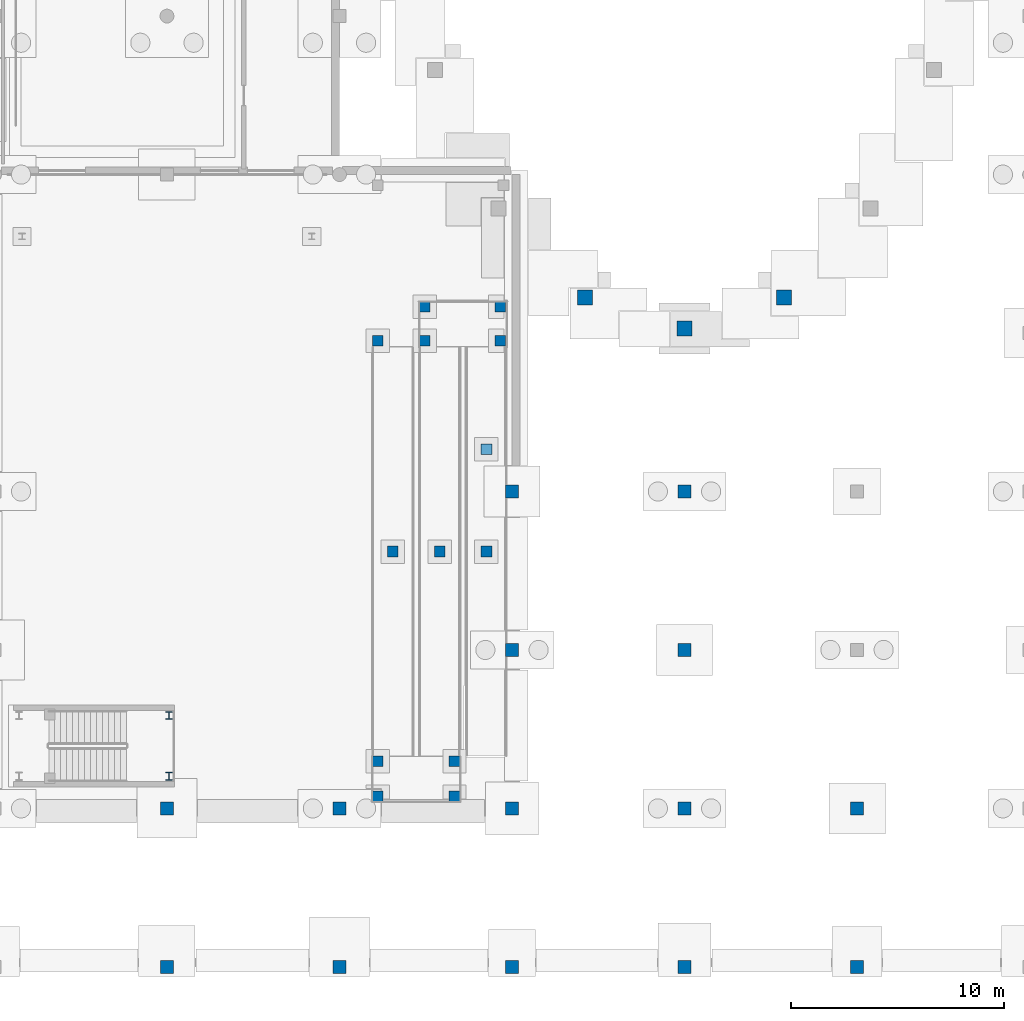
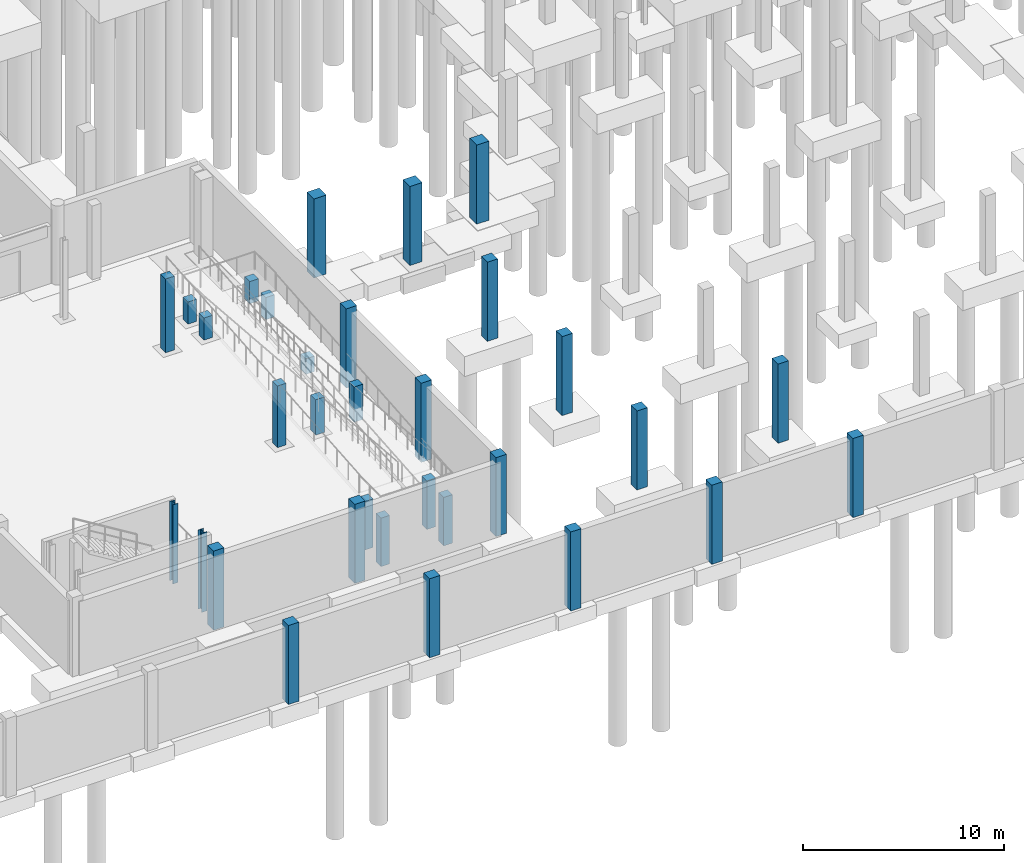
# One storey, part 14 of 37: 32 columns.
"""IFC4 building model written with IfcOpenShell, lengths in metres."""

import ifcopenshell
import ifcopenshell.guid

model = None  # the IFC model being written
_history = None  # IfcOwnerHistory: only IFC2X3 demands one
_inside = {}  # id of a spatial element -> (the spatial element, [elements in it])
_under = {}  # id of a project, library or spatial element -> (it, [spatial elements below it])
_declared = {}  # id of a project -> (the project, [libraries it declares])
_typed = {}  # id of a type object -> (the type object, [elements of that type])
_made_of = {}  # id of a material, layer set ... -> (it, [elements and type objects made of it])


def new_model(schema):
    """Start an empty IFC model of exactly this schema.

    Asked for "IFC4X3", IfcOpenShell would pick the latest addendum, in which some entities
    have other attributes; the version numbers below select the first issue.
    IFC2X3 requires an IfcOwnerHistory on every rooted entity: one is made here for all.
    """
    global model, _history
    if schema == "IFC4X3":
        model = ifcopenshell.file(schema_version=(4, 3, 0, 0))
    else:
        model = ifcopenshell.file(schema=schema)
    _inside.clear()
    _under.clear()
    _declared.clear()
    _typed.clear()
    _made_of.clear()
    _history = None
    if model.schema == "IFC2X3":
        org = make("IfcOrganization", Name="unknown")
        user = make(
            "IfcPersonAndOrganization",
            ThePerson=make("IfcPerson", FamilyName="unknown"),
            TheOrganization=org,
        )
        app = make(
            "IfcApplication",
            ApplicationDeveloper=org,
            Version="unknown",
            ApplicationFullName="unknown",
            ApplicationIdentifier="unknown",
        )
        _history = make(
            "IfcOwnerHistory",
            OwningUser=user,
            OwningApplication=app,
            ChangeAction="ADDED",
            CreationDate=0,
        )
    return model


def make(cls, **values):
    """One entity of the class cls with the attributes given. An attribute that is None is left unset."""
    return model.create_entity(
        cls, **{name: value for name, value in values.items() if value is not None}
    )


def rooted(cls, **values):
    """An entity with a GlobalId (a new one), such as an element, a storey or a relation."""
    return make(cls, GlobalId=ifcopenshell.guid.new(), OwnerHistory=_history, **values)


def si_unit(unit_type, name, prefix=None):
    """IfcSIUnit, for example si_unit("LENGTHUNIT", "METRE", prefix="MILLI")."""
    return make("IfcSIUnit", UnitType=unit_type, Prefix=prefix, Name=name)


def assignment(units):
    """IfcUnitAssignment: the units of a project."""
    return None if units is None else make("IfcUnitAssignment", Units=units)


def point(xyz):
    """IfcCartesianPoint."""
    return None if xyz is None else make("IfcCartesianPoint", Coordinates=xyz)


def direction(xyz):
    """IfcDirection."""
    return None if xyz is None else make("IfcDirection", DirectionRatios=xyz)


def frame(location, z_axis=None, x_axis=None):
    """IfcAxis2Placement3D, a coordinate frame: its origin and axes. An axis left out is left unset."""
    return make(
        "IfcAxis2Placement3D",
        Location=point(location),
        Axis=direction(z_axis),
        RefDirection=direction(x_axis),
    )


def frame_2d(location, x_axis=None):
    """IfcAxis2Placement2D, a coordinate frame in the plane: its origin and x axis."""
    return make(
        "IfcAxis2Placement2D", Location=point(location), RefDirection=direction(x_axis)
    )


def origin():
    """The frame at (0, 0, 0) with its axes left unset."""
    return frame((0.0, 0.0, 0.0))


def origin_2d():
    """The frame at (0, 0) in the plane with its x axis left unset."""
    return frame_2d((0.0, 0.0))


def place(relative_to, where):
    """IfcLocalPlacement: puts the frame where relative to a parent placement (None: the world)."""
    return make(
        "IfcLocalPlacement", PlacementRelTo=relative_to, RelativePlacement=where
    )


def context(
    kind, dimensions, precision=None, world=None, true_north=None, identifier=None
):
    """IfcGeometricRepresentationContext, for example the 3D "Model" context."""
    return make(
        "IfcGeometricRepresentationContext",
        ContextIdentifier=identifier,
        ContextType=kind,
        CoordinateSpaceDimension=dimensions,
        Precision=precision,
        WorldCoordinateSystem=world,
        TrueNorth=true_north,
    )


def subcontext(parent, identifier, kind, view, scale=None):
    """IfcGeometricRepresentationSubContext, for example "Body" below "Model"."""
    return make(
        "IfcGeometricRepresentationSubContext",
        ContextIdentifier=identifier,
        ContextType=kind,
        ParentContext=parent,
        TargetScale=scale,
        TargetView=view,
    )


def project(units=None, contexts=None):
    """IfcProject with its units and contexts."""
    return rooted(
        "IfcProject",
        Name="project",
        RepresentationContexts=contexts,
        UnitsInContext=assignment(units),
    )


def spatial(cls, under=None, at=None, **own):
    """A site, building, storey or space (cls), placed at a placement, below another one or the project."""
    s = rooted(cls, ObjectPlacement=at, **own)
    if under is not None:
        _under.setdefault(under.id(), (under, []))[1].append(s)
    return s


def profile(cls, at=None, kind="AREA", **sizes):
    """A parametric profile (cls). Its sizes go by their IFC names, for example OverallWidth=200.0."""
    return make(cls, ProfileType=kind, Position=at, **sizes)


def rectangle(**sizes):
    """IfcRectangleProfileDef."""
    return profile("IfcRectangleProfileDef", **sizes)


def i_section(**sizes):
    """IfcIShapeProfileDef."""
    return profile("IfcIShapeProfileDef", **sizes)


def extrude(swept, where, along, depth):
    """IfcExtrudedAreaSolid: the profile swept, set in the frame where, extruded along a direction by depth."""
    return make(
        "IfcExtrudedAreaSolid",
        SweptArea=swept,
        Position=where,
        ExtrudedDirection=direction(along),
        Depth=depth,
    )


def shape(context_of_items, identifier, shape_type, items):
    """IfcShapeRepresentation: the items that make up one representation, for example the "Body"."""
    return make(
        "IfcShapeRepresentation",
        ContextOfItems=context_of_items,
        RepresentationIdentifier=identifier,
        RepresentationType=shape_type,
        Items=items,
    )


def material(Name=None, Category=None):
    """IfcMaterial."""
    return make("IfcMaterial", Name=Name, Category=Category)


def material_profile(
    of_material, cross_section, Name=None, Category=None, Priority=None
):
    """IfcMaterialProfile: a cross section and its material."""
    return make(
        "IfcMaterialProfile",
        Name=Name,
        Material=of_material,
        Profile=cross_section,
        Priority=Priority,
        Category=Category,
    )


def profile_set(profiles, Name=None, composite=None):
    """IfcMaterialProfileSet."""
    return make(
        "IfcMaterialProfileSet",
        Name=Name,
        MaterialProfiles=profiles,
        CompositeProfile=composite,
    )


def made_of(thing, what):
    """Note that an element or type object is made of a material, layer set ...; save() writes the relation."""
    if what is not None:
        _made_of.setdefault(what.id(), (what, []))[1].append(thing)
    return thing


def type_object(cls, material=None, **own):
    """A type object (cls), such as IfcWallType, which elements share."""
    return made_of(rooted(cls, **own), material)


def element(
    cls,
    number,
    at=None,
    inside=None,
    cuts=None,
    type_object=None,
    material=None,
    context=None,
    identifier="Body",
    shape_type=None,
    held_by="IfcProductDefinitionShape",
    body=None,
    shapes=None,
    **own,
):
    """One element of the class cls, such as IfcWall. Its Tag is "e" and its number.

    at: its placement. inside: the storey or other place that contains it. cuts: it is an
    opening in that element (IfcRelVoidsElement). A single representation is given by context,
    identifier, shape_type and body (its items); several are given by shapes. held_by: the class
    of the entity that holds the representations. save() writes the other relations.
    """
    e = rooted(cls, Tag="e%d" % number, ObjectPlacement=at, **own)
    if body is not None:
        shapes = [shape(context, identifier, shape_type, body)]
    if shapes is not None:
        e.Representation = make(held_by, Representations=shapes)
    if inside is not None:
        _inside.setdefault(inside.id(), (inside, []))[1].append(e)
    if cuts is not None:
        rooted(
            "IfcRelVoidsElement", RelatingBuildingElement=cuts, RelatedOpeningElement=e
        )
    if type_object is not None:
        _typed.setdefault(type_object.id(), (type_object, []))[1].append(e)
    return made_of(e, material)


def aggregate(whole, parts):
    """IfcRelAggregates: a whole, such as a stair, and the parts it consists of."""
    return rooted("IfcRelAggregates", RelatingObject=whole, RelatedObjects=parts)


def save(model, path):
    """Write the relations noted so far, then the file.

    IfcRelAggregates (storeys below a building ...), IfcRelContainedInSpatialStructure (elements
    in a storey), IfcRelDefinesByType, IfcRelAssociatesMaterial and IfcRelDeclares: one each for
    every whole, place, type object, material and project.
    """
    for whole, parts in _under.values():
        aggregate(whole, parts)
    for where, things in _inside.values():
        rooted(
            "IfcRelContainedInSpatialStructure",
            RelatedElements=things,
            RelatingStructure=where,
        )
    for kind, things in _typed.values():
        rooted("IfcRelDefinesByType", RelatedObjects=things, RelatingType=kind)
    for what, things in _made_of.values():
        rooted("IfcRelAssociatesMaterial", RelatedObjects=things, RelatingMaterial=what)
    for by, libraries in _declared.values():
        rooted("IfcRelDeclares", RelatingContext=by, RelatedDefinitions=libraries)
    model.write(path)


model = new_model("IFC4")

# Units and contexts
model_context = context("Model", 3, precision=1e-05, world=origin(), true_north=direction((0.0, 1.0)))
body_context = subcontext(model_context, "Body", "Model", "MODEL_VIEW")
ifc_project = project(units=[si_unit("LENGTHUNIT", "METRE"), si_unit("AREAUNIT", "SQUARE_METRE"), si_unit("VOLUMEUNIT", "CUBIC_METRE"), si_unit("PLANEANGLEUNIT", "RADIAN"), si_unit("MASSUNIT", "GRAM", prefix="KILO")], contexts=[model_context])

# Site, building, storey
site_placement = place(None, origin())
site = spatial("IfcSite", under=ifc_project, at=site_placement, CompositionType="ELEMENT")
building_placement = place(site_placement, origin())
building = spatial("IfcBuilding", under=site, at=building_placement, Name="Kaelora Sail Theatre", CompositionType="ELEMENT")
storey_placement = place(building_placement, frame((0.0, 0.0, -4.800048828125)))
storey = spatial("IfcBuildingStorey", under=building, at=storey_placement, Name="B1", CompositionType="ELEMENT", Elevation=-4.800048828125)

# Columns
ifc_material_1 = material(Name="Steel S355", Category="steel")
ifc_material_profile_1 = material_profile(ifc_material_1, i_section(OverallWidth=0.300048828125, OverallDepth=0.360107421875, WebThickness=0.012451171875, FlangeThickness=0.0224609375, FilletRadius=0.027099609375, at=origin_2d()), Name="HEB 360")
ifc_profile_set_1 = profile_set([ifc_material_profile_1], Name="Steel S355")
column_type_1 = type_object("IfcColumnType", Name="STR-COL-C-HEB360", PredefinedType="COLUMN", material=ifc_profile_set_1)
for number, where, z_axis, x_axis, name in (
    (1, (66.39990234375, 10.449951171875, 0.0), (0.0, 0.0, 1.0), (1.0, 0.0, 0.0), "Feature stair ST-PLZ support column SE (B1)"),
    (2, (66.39990234375, 13.300048828125, 0.0), (0.0, 0.0, 1.0), (1.0, 0.0, 0.0), "Feature stair ST-PLZ support column NE (B1)"),
):
    element("IfcColumn", number, at=place(storey_placement, frame(where, z_axis=z_axis, x_axis=x_axis)), inside=storey, type_object=column_type_1, Name=name, PredefinedType="COLUMN", context=body_context, shape_type="SweptSolid", body=[
        extrude(i_section(OverallWidth=0.300048828125, OverallDepth=0.360107421875, WebThickness=0.012451171875, FlangeThickness=0.0224609375, FilletRadius=0.027099609375, at=origin_2d()), origin(), (0.0, 0.0, 1.0), 4.800048828125),
    ])
ifc_material_2 = material(Name="Concrete C40/50", Category="concrete")
ifc_material_profile_2 = material_profile(ifc_material_2, rectangle(XDim=0.5, YDim=0.5, at=origin_2d()), Name="RC-COL 500x500")
ifc_profile_set_2 = profile_set([ifc_material_profile_2], Name="Concrete C40/50")
column_type_2 = type_object("IfcColumnType", Name="STR-COL-C-RC500", PredefinedType="COLUMN", material=ifc_profile_set_2)
for number, where, z_axis, x_axis, name in (
    (3, (78.39990234375, 30.89990234375, 0.0), (0.0, 0.0, 1.0), (1.0, 0.0, 0.0), "Accessible plaza ramp pier RL1-SW"),
    (4, (81.949951171875, 30.89990234375, 0.0), (0.0, 0.0, 1.0), (1.0, 0.0, 0.0), "Accessible plaza ramp pier RL1-SE"),
    (5, (78.39990234375, 32.5, 0.0), (0.0, 0.0, 1.0), (1.0, 0.0, 0.0), "Accessible plaza ramp pier RL1-NW"),
    (6, (81.949951171875, 32.5, 0.0), (0.0, 0.0, 1.0), (1.0, 0.0, 0.0), "Accessible plaza ramp pier RL1-NE"),
):
    element("IfcColumn", number, at=place(storey_placement, frame(where, z_axis=z_axis, x_axis=x_axis)), inside=storey, type_object=column_type_2, Name=name, PredefinedType="COLUMN", context=body_context, shape_type="SweptSolid", body=[
        extrude(rectangle(XDim=0.5, YDim=0.5, at=origin_2d()), origin(), (0.0, 0.0, 1.0), 1.344970703125),
    ])
column_1_placement = place(storey_placement, frame((81.300048828125, 25.800048828125, 0.0), z_axis=(0.0, 0.0, 1.0), x_axis=(1.0, 0.0, 0.0)))
element("IfcColumn", 7, at=column_1_placement, inside=storey, type_object=column_type_2, Name="Accessible plaza ramp pier RF1-Q3", PredefinedType="COLUMN", context=body_context, shape_type="SweptSolid", body=[
    extrude(rectangle(XDim=0.5, YDim=0.5, at=origin_2d()), origin(), (0.0, 0.0, 1.0), 0.945068359375),
])
for number, where, z_axis, x_axis, name in (
    (8, (76.199951171875, 9.5, 0.0), (0.0, 0.0, 1.0), (1.0, 0.0, 0.0), "Accessible plaza ramp pier RL2-SW"),
    (9, (79.800048828125, 9.5, 0.0), (0.0, 0.0, 1.0), (1.0, 0.0, 0.0), "Accessible plaza ramp pier RL2-SE"),
    (10, (76.199951171875, 11.14990234375, 0.0), (0.0, 0.0, 1.0), (1.0, 0.0, 0.0), "Accessible plaza ramp pier RL2-NW"),
    (11, (79.800048828125, 11.14990234375, 0.0), (0.0, 0.0, 1.0), (1.0, 0.0, 0.0), "Accessible plaza ramp pier RL2-NE"),
):
    element("IfcColumn", number, at=place(storey_placement, frame(where, z_axis=z_axis, x_axis=x_axis)), inside=storey, type_object=column_type_2, Name=name, PredefinedType="COLUMN", context=body_context, shape_type="SweptSolid", body=[
        extrude(rectangle(XDim=0.5, YDim=0.5, at=origin_2d()), origin(), (0.0, 0.0, 1.0), 2.945068359375),
    ])
for number, where, z_axis, x_axis, name in (
    (12, (81.300048828125, 21.0, 0.0), (0.0, 0.0, 1.0), (1.0, 0.0, 0.0), "Accessible plaza ramp pier RMID-F1"),
    (13, (79.10009765625, 21.0, 0.0), (0.0, 0.0, 1.0), (1.0, 0.0, 0.0), "Accessible plaza ramp pier RMID-F2"),
):
    element("IfcColumn", number, at=place(storey_placement, frame(where, z_axis=z_axis, x_axis=x_axis)), inside=storey, type_object=column_type_2, Name=name, PredefinedType="COLUMN", context=body_context, shape_type="SweptSolid", body=[
        extrude(rectangle(XDim=0.5, YDim=0.5, at=origin_2d()), origin(), (0.0, 0.0, 1.0), 2.14501953125),
    ])
column_2_placement = place(storey_placement, frame((76.89990234375, 21.0, 0.0), z_axis=(0.0, 0.0, 1.0), x_axis=(1.0, 0.0, 0.0)))
element("IfcColumn", 14, at=column_2_placement, inside=storey, type_object=column_type_2, Name="Accessible plaza ramp pier RMID-F3", PredefinedType="COLUMN", context=body_context, shape_type="SweptSolid", body=[
    extrude(rectangle(XDim=0.5, YDim=0.5, at=origin_2d()), origin(), (0.0, 0.0, 1.0), 3.7451171875),
])
column_3_placement = place(storey_placement, frame((76.199951171875, 30.89990234375, 0.0), z_axis=(0.0, 0.0, 1.0), x_axis=(1.0, 0.0, 0.0)))
element("IfcColumn", 15, at=column_3_placement, inside=storey, type_object=column_type_2, Name="Accessible plaza ramp pier RL3-W1", PredefinedType="COLUMN", context=body_context, shape_type="SweptSolid", body=[
    extrude(rectangle(XDim=0.5, YDim=0.5, at=origin_2d()), origin(), (0.0, 0.0, 1.0), 4.47998046875),
])
ifc_material_3 = material(Name="Concrete C40/50", Category="concrete")
ifc_material_profile_3 = material_profile(ifc_material_3, rectangle(XDim=0.60009765625, YDim=0.60009765625, at=origin_2d()), Name="RC-COL 600x600")
ifc_profile_set_3 = profile_set([ifc_material_profile_3], Name="Concrete C40/50")
column_type_3 = type_object("IfcColumnType", Name="STR-COL-C-RC600", PredefinedType="COLUMN", material=ifc_profile_set_3)
for number, where, z_axis, x_axis, name in (
    (16, (66.300048828125, 1.5, 0.0), (0.0, 0.0, 1.0), (1.0, 0.0, 0.0), "Column 9/A (B1)"),
    (17, (66.300048828125, 8.93994140625, 0.0), (0.0, 0.0, 1.0), (1.0, 0.0, 0.0), "Column 9/B (B1)"),
    (18, (74.39990234375, 1.5, 0.0), (0.0, 0.0, 1.0), (1.0, 0.0, 0.0), "Column 10/A (B1)"),
    (19, (74.39990234375, 8.93994140625, 0.0), (0.0, 0.0, 1.0), (1.0, 0.0, 0.0), "Column 10/B (B1)"),
    (20, (82.5, 1.5, 0.0), (0.0, 0.0, 1.0), (1.0, 0.0, 0.0), "Column 11/A (B1)"),
    (21, (82.5, 8.93994140625, 0.0), (0.0, 0.0, 1.0), (1.0, 0.0, 0.0), "Column 11/B (B1)"),
    (22, (82.5, 16.3798828125, 0.0), (0.0, 0.0, 1.0), (1.0, 0.0, 0.0), "Column 11/C (B1)"),
    (23, (82.5, 23.820068359375, 0.0), (0.0, 0.0, 1.0), (1.0, 0.0, 0.0), "Column 11/D (B1)"),
    (24, (90.60009765625, 1.5, 0.0), (0.0, 0.0, 1.0), (1.0, 0.0, 0.0), "Column 12/A (B1)"),
    (25, (90.60009765625, 8.93994140625, 0.0), (0.0, 0.0, 1.0), (1.0, 0.0, 0.0), "Column 12/B (B1)"),
    (26, (90.60009765625, 16.3798828125, 0.0), (0.0, 0.0, 1.0), (1.0, 0.0, 0.0), "Column 12/C (B1)"),
    (27, (90.60009765625, 23.820068359375, 0.0), (0.0, 0.0, 1.0), (1.0, 0.0, 0.0), "Column 12/D (B1)"),
    (28, (98.699951171875, 1.5, 0.0), (0.0, 0.0, 1.0), (1.0, 0.0, 0.0), "Column 13/A (B1)"),
    (29, (98.699951171875, 8.93994140625, 0.0), (0.0, 0.0, 1.0), (1.0, 0.0, 0.0), "Column 13/B (B1)"),
):
    element("IfcColumn", number, at=place(storey_placement, frame(where, z_axis=z_axis, x_axis=x_axis)), inside=storey, type_object=column_type_3, Name=name, PredefinedType="COLUMN", context=body_context, shape_type="SweptSolid", body=[
        extrude(rectangle(XDim=0.60009765625, YDim=0.60009765625, at=origin_2d()), origin(), (0.0, 0.0, 1.0), 4.800048828125),
    ])
ifc_material_4 = material(Name="Concrete C45/55", Category="concrete")
ifc_material_profile_4 = material_profile(ifc_material_4, rectangle(XDim=0.699951171875, YDim=0.699951171875, at=origin_2d()), Name="RC-COL 700x700")
ifc_profile_set_4 = profile_set([ifc_material_profile_4], Name="Concrete C45/55")
column_type_4 = type_object("IfcColumnType", Name="STR-COL-C-RC700", PredefinedType="COLUMN", material=ifc_profile_set_4)
for number, where, z_axis, x_axis, name in (
    (30, (95.26953125, 32.9267578125, 0.0), (0.0, 0.0, 1.0), (1.0, 0.0, 0.0), "Studio Theatre drum column K08 (B1)"),
    (31, (90.60009765625, 31.47998046875, 0.0), (0.0, 0.0, 1.0), (1.0, 0.0, 0.0), "Studio Theatre drum column K10 (B1)"),
    (32, (85.930419921875, 32.9267578125, 0.0), (0.0, 0.0, 1.0), (1.0, 0.0, 0.0), "Studio Theatre drum column K12 (B1)"),
):
    element("IfcColumn", number, at=place(storey_placement, frame(where, z_axis=z_axis, x_axis=x_axis)), inside=storey, type_object=column_type_4, Name=name, PredefinedType="COLUMN", context=body_context, shape_type="SweptSolid", body=[
        extrude(rectangle(XDim=0.699951171875, YDim=0.699951171875, at=origin_2d()), origin(), (0.0, 0.0, 1.0), 4.800048828125),
    ])

save(model, "model.ifc")
